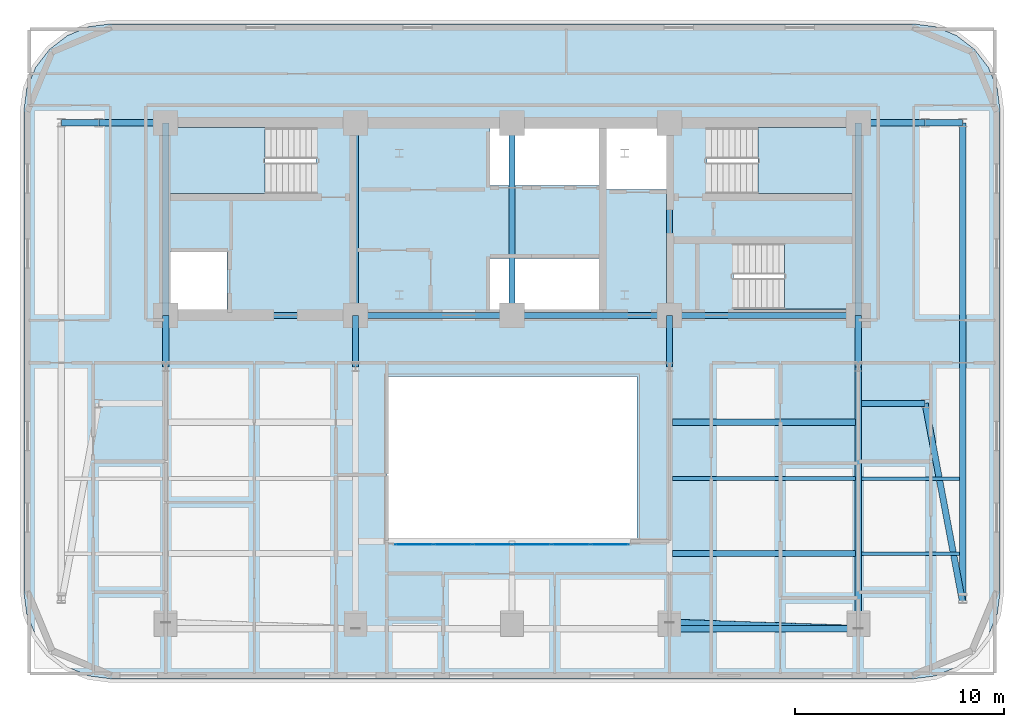
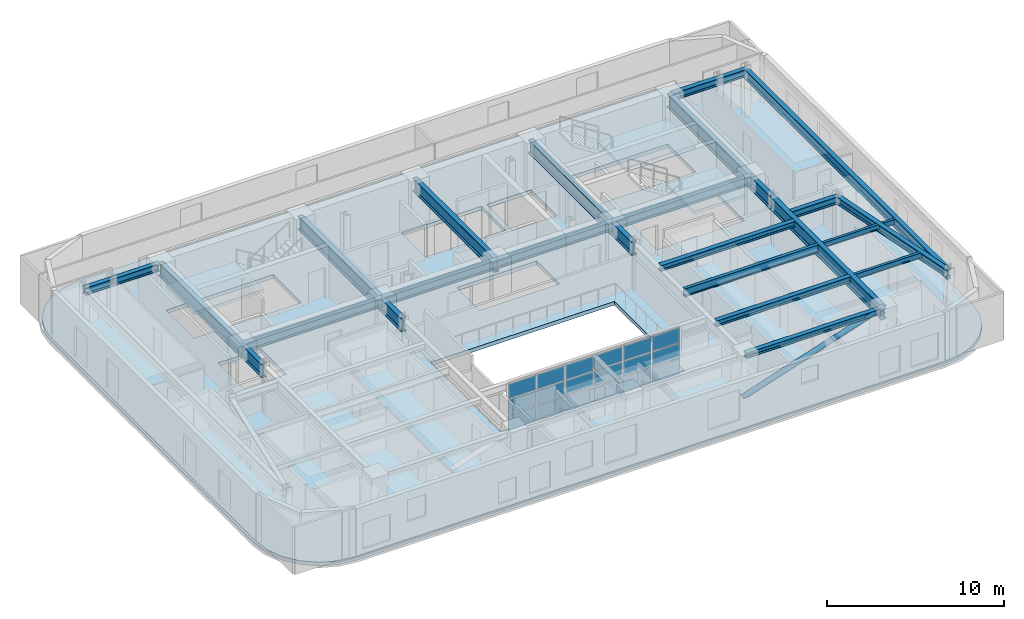
# One storey, part 3 of 12: 27 beams, 18 plates, 4 slabs, 1 member, 4 elements without a shape of their own.
"""IFC4 building model written with IfcOpenShell, lengths in metres."""

from ifc_helpers import new_model, si_unit, direction, frame, origin, origin_2d, place, context, subcontext, project, spatial, polyline, rectangle, hollow_circle, i_section, outline, extrude, material, layer, layer_set, material_profile, profile_set, type_object, element, aggregate, save


model = new_model("IFC4")

# Units and contexts
model_context = context("Model", 3, precision=1e-05, world=origin(), true_north=direction((0.0, 1.0)))
body_context = subcontext(model_context, "Body", "Model", "MODEL_VIEW")
ifc_project = project(units=[si_unit("LENGTHUNIT", "METRE"), si_unit("AREAUNIT", "SQUARE_METRE"), si_unit("VOLUMEUNIT", "CUBIC_METRE"), si_unit("PLANEANGLEUNIT", "RADIAN"), si_unit("MASSUNIT", "GRAM", prefix="KILO")], contexts=[model_context])

# Site, building, storey
site_placement = place(None, origin())
site = spatial("IfcSite", under=ifc_project, at=site_placement, CompositionType="ELEMENT")
building_placement = place(site_placement, origin())
building = spatial("IfcBuilding", under=site, at=building_placement, Name="Zarnavel Station Tower", CompositionType="ELEMENT")
storey_placement = place(building_placement, frame((0.0, 0.0, 144.800048828125)))
storey = spatial("IfcBuildingStorey", under=building, at=storey_placement, Name="L39", CompositionType="ELEMENT", Elevation=144.800048828125)

# Member
ifc_material_1 = material(Name="Steel S355J2", Category="steel")
ifc_material_profile_1 = material_profile(ifc_material_1, hollow_circle(Radius=0.161865234375, WallThickness=0.012451171875, at=origin_2d()), Name="CHS323.9x12.5")
ifc_profile_set_1 = profile_set([ifc_material_profile_1], Name="Steel S355J2")
member_type = type_object("IfcMemberType", Name="DB_EXT_CHS324", PredefinedType="BRACE", material=ifc_profile_set_1)
member_placement = place(storey_placement, frame((36.35009765625, 13.106201171875, 0.0), z_axis=(0.939370056938, -0.030942344867, 0.341506174795), x_axis=(0.032921607344, 0.999457936969, 0.0)))
element("IfcMember", 1, at=member_placement, inside=storey, type_object=member_type, Name="L39 Persian Exterior Diagonal Frame Brace 2", PredefinedType="BRACE", context=body_context, shape_type="SweptSolid", body=[
    extrude(hollow_circle(Radius=0.161865234375, WallThickness=0.012451171875, at=origin_2d()), origin(), (0.0, 0.0, 1.0), 9.6337890625),
])

# Beams
ifc_material_2 = material(Name="Steel S355J2", Category="steel")
ifc_material_profile_2 = material_profile(ifc_material_2, i_section(OverallWidth=0.300048828125, OverallDepth=0.360107421875, WebThickness=0.012451171875, FlangeThickness=0.0224609375, FilletRadius=0.027099609375, at=origin_2d()), Name="HEB360")
ifc_profile_set_2 = profile_set([ifc_material_profile_2], Name="Steel S355J2")
beam_type_1 = type_object("IfcBeamType", Name="EB_HEB360", PredefinedType="SPANDREL", material=ifc_profile_set_2)
beam_1_placement = place(storey_placement, frame((36.35009765625, 12.80810546875, 3.10986328125), z_axis=(1.0, 0.0, 0.0), x_axis=(0.0, 1.0, 0.0)))
element("IfcBeam", 2, at=beam_1_placement, inside=storey, type_object=beam_type_1, Name="L39 South Raked Spandrel 4", PredefinedType="SPANDREL", context=body_context, shape_type="SweptSolid", body=[
    extrude(i_section(OverallWidth=0.300048828125, OverallDepth=0.360107421875, WebThickness=0.012451171875, FlangeThickness=0.0224609375, FilletRadius=0.027099609375, at=origin_2d()), origin(), (0.0, 0.0, 1.0), 9.0498046875),
])
ifc_material_3 = material(Name="Steel S355J2", Category="steel")
ifc_material_profile_3 = material_profile(ifc_material_3, i_section(OverallWidth=0.300048828125, OverallDepth=0.389892578125, WebThickness=0.010986328125, FlangeThickness=0.01904296875, FilletRadius=0.027099609375, at=origin_2d()), Name="HEA400")
ifc_profile_set_3 = profile_set([ifc_material_profile_3], Name="Steel S355J2")
beam_type_2 = type_object("IfcBeamType", Name="FB_HEA400", PredefinedType="BEAM", material=ifc_profile_set_3)
for number, where, z_axis, x_axis, name in (
    (3, (36.4951171875, 16.406005859375, 3.094970703125), (1.0, 0.0, 0.0), (0.0, 1.0, 0.0), "L39 East Bay Beam 1"),
    (4, (36.4951171875, 22.701904296875, 3.094970703125), (1.0, 0.0, 0.0), (0.0, 1.0, 0.0), "L39 East Bay Beam 3"),
):
    element("IfcBeam", number, at=place(storey_placement, frame(where, z_axis=z_axis, x_axis=x_axis)), inside=storey, type_object=beam_type_2, Name=name, PredefinedType="BEAM", context=body_context, shape_type="SweptSolid", body=[
        extrude(i_section(OverallWidth=0.300048828125, OverallDepth=0.389892578125, WebThickness=0.010986328125, FlangeThickness=0.01904296875, FilletRadius=0.027099609375, at=origin_2d()), origin(), (0.0, 0.0, 1.0), 8.759765625),
    ])
ifc_material_4 = material(Name="Steel S355J2", Category="steel")
ifc_material_profile_4 = material_profile(ifc_material_4, i_section(OverallWidth=0.2099609375, OverallDepth=0.550048828125, WebThickness=0.010986328125, FlangeThickness=0.01708984375, FilletRadius=0.02392578125, at=origin_2d()), Name="IPE550")
ifc_profile_set_4 = profile_set([ifc_material_profile_4], Name="Steel S355J2")
beam_type_3 = type_object("IfcBeamType", Name="FB_IPE550", PredefinedType="BEAM", material=ifc_profile_set_4)
beam_2_placement = place(storey_placement, frame((36.4951171875, 20.00390625, 3.014892578125), z_axis=(1.0, 0.0, 0.0), x_axis=(0.0, 1.0, 0.0)))
element("IfcBeam", 5, at=beam_2_placement, inside=storey, type_object=beam_type_3, Name="L39 East Bay Beam 2", PredefinedType="BEAM", context=body_context, shape_type="SweptSolid", body=[
    extrude(i_section(OverallWidth=0.2099609375, OverallDepth=0.550048828125, WebThickness=0.010986328125, FlangeThickness=0.01708984375, FilletRadius=0.02392578125, at=origin_2d()), origin(), (0.0, 0.0, 1.0), 8.759765625),
])
ifc_material_5 = material(Name="Steel S355J2", Category="steel")
ifc_material_profile_5 = material_profile(ifc_material_5, i_section(OverallWidth=0.300048828125, OverallDepth=0.5, WebThickness=0.014404296875, FlangeThickness=0.028076171875, FilletRadius=0.027099609375, at=origin_2d()), Name="HEB500")
ifc_profile_set_5 = profile_set([ifc_material_profile_5], Name="Steel S355J2")
beam_type_4 = type_object("IfcBeamType", Name="FG_HEB500", PredefinedType="USERDEFINED", material=ifc_profile_set_5)
beam_3_placement = place(storey_placement, frame((7.199951171875, 37.050048828125, 3.0400390625), z_axis=(1.0, 0.0, 0.0), x_axis=(0.0, 1.0, 0.0)))
element("IfcBeam", 6, at=beam_3_placement, inside=storey, type_object=beam_type_4, Name="L39 West Wing North Tie 1", ObjectType="GIRDER", PredefinedType="USERDEFINED", context=body_context, shape_type="SweptSolid", body=[
    extrude(i_section(OverallWidth=0.300048828125, OverallDepth=0.5, WebThickness=0.014404296875, FlangeThickness=0.028076171875, FilletRadius=0.027099609375, at=origin_2d()), origin(), (0.0, 0.0, 1.0), 1.800048828125),
])
beam_4_placement = place(storey_placement, frame((9.0, 37.050048828125, 3.0400390625), z_axis=(1.0, 0.0, 0.0), x_axis=(0.0, 1.0, 0.0)))
element("IfcBeam", 7, at=beam_4_placement, inside=storey, type_object=beam_type_4, Name="L39 West Wing North Tie 2", ObjectType="GIRDER", PredefinedType="USERDEFINED", context=body_context, shape_type="SweptSolid", body=[
    extrude(i_section(OverallWidth=0.300048828125, OverallDepth=0.5, WebThickness=0.014404296875, FlangeThickness=0.028076171875, FilletRadius=0.027099609375, at=origin_2d()), origin(), (0.0, 0.0, 1.0), 3.054931640625),
])
for number, where, z_axis, x_axis, name in (
    (8, (45.544921875, 23.60009765625, 3.0400390625), (1.0, 0.0, 0.0), (0.0, 1.0, 0.0), "L39 East Wing South Tie 1"),
    (9, (45.544921875, 37.050048828125, 3.0400390625), (1.0, 0.0, 0.0), (0.0, 1.0, 0.0), "L39 East Wing North Tie 1"),
):
    element("IfcBeam", number, at=place(storey_placement, frame(where, z_axis=z_axis, x_axis=x_axis)), inside=storey, type_object=beam_type_4, Name=name, ObjectType="GIRDER", PredefinedType="USERDEFINED", context=body_context, shape_type="SweptSolid", body=[
        extrude(i_section(OverallWidth=0.300048828125, OverallDepth=0.5, WebThickness=0.014404296875, FlangeThickness=0.028076171875, FilletRadius=0.027099609375, at=origin_2d()), origin(), (0.0, 0.0, 1.0), 3.05517578125),
    ])
beam_5_placement = place(storey_placement, frame((48.60009765625, 23.60009765625, 3.0400390625), z_axis=(0.185291542789, -0.982683593112, 0.0), x_axis=(0.982683593112, 0.185291542789, 0.0)))
element("IfcBeam", 10, at=beam_5_placement, inside=storey, type_object=beam_type_4, Name="L39 East Wing South Tie 2", ObjectType="GIRDER", PredefinedType="USERDEFINED", context=body_context, shape_type="SweptSolid", body=[
    extrude(i_section(OverallWidth=0.300048828125, OverallDepth=0.5, WebThickness=0.014404296875, FlangeThickness=0.028076171875, FilletRadius=0.027099609375, at=origin_2d()), origin(), (0.0, 0.0, 1.0), 9.71337890625),
])
beam_6_placement = place(storey_placement, frame((48.60009765625, 37.050048828125, 3.0400390625), z_axis=(1.0, 0.0, 0.0), x_axis=(0.0, 1.0, 0.0)))
element("IfcBeam", 11, at=beam_6_placement, inside=storey, type_object=beam_type_4, Name="L39 East Wing North Tie 2", ObjectType="GIRDER", PredefinedType="USERDEFINED", context=body_context, shape_type="SweptSolid", body=[
    extrude(i_section(OverallWidth=0.300048828125, OverallDepth=0.5, WebThickness=0.014404296875, FlangeThickness=0.028076171875, FilletRadius=0.027099609375, at=origin_2d()), origin(), (0.0, 0.0, 1.0), 1.7998046875),
])
ifc_material_6 = material(Name="Steel S355J2", Category="steel")
ifc_material_profile_6 = material_profile(ifc_material_6, i_section(OverallWidth=0.300048828125, OverallDepth=0.60009765625, WebThickness=0.015380859375, FlangeThickness=0.030029296875, FilletRadius=0.027099609375, at=origin_2d()), Name="HEB600")
ifc_profile_set_6 = profile_set([ifc_material_profile_6], Name="Steel S355J2")
beam_type_5 = type_object("IfcBeamType", Name="FG_HEB600", PredefinedType="USERDEFINED", material=ifc_profile_set_6)
beam_7_placement = place(storey_placement, frame((12.199951171875, 27.820068359375, 2.989990234375), z_axis=(1.0, 0.0, 0.0), x_axis=(0.0, 1.0, 0.0)))
element("IfcBeam", 12, at=beam_7_placement, inside=storey, type_object=beam_type_5, Name="L39 Core Front Coupling Beam 1", ObjectType="GIRDER", PredefinedType="USERDEFINED", context=body_context, shape_type="SweptSolid", body=[
    extrude(i_section(OverallWidth=0.300048828125, OverallDepth=0.60009765625, WebThickness=0.015380859375, FlangeThickness=0.030029296875, FilletRadius=0.027099609375, at=origin_2d()), origin(), (0.0, 0.0, 1.0), 9.10009765625),
])
beam_8_placement = place(storey_placement, frame((21.300048828125, 27.820068359375, 2.989990234375), z_axis=(1.0, 0.0, 0.0), x_axis=(0.0, 1.0, 0.0)))
element("IfcBeam", 13, at=beam_8_placement, inside=storey, type_object=beam_type_5, Name="L39 Core Front Coupling Beam 2", ObjectType="GIRDER", PredefinedType="USERDEFINED", context=body_context, shape_type="SweptSolid", body=[
    extrude(i_section(OverallWidth=0.300048828125, OverallDepth=0.60009765625, WebThickness=0.015380859375, FlangeThickness=0.030029296875, FilletRadius=0.027099609375, at=origin_2d()), origin(), (0.0, 0.0, 1.0), 7.5),
])
beam_9_placement = place(storey_placement, frame((28.800048828125, 27.820068359375, 2.989990234375), z_axis=(1.0, 0.0, 0.0), x_axis=(0.0, 1.0, 0.0)))
element("IfcBeam", 14, at=beam_9_placement, inside=storey, type_object=beam_type_5, Name="L39 Core Front Coupling Beam 3", ObjectType="GIRDER", PredefinedType="USERDEFINED", context=body_context, shape_type="SweptSolid", body=[
    extrude(i_section(OverallWidth=0.300048828125, OverallDepth=0.60009765625, WebThickness=0.015380859375, FlangeThickness=0.030029296875, FilletRadius=0.027099609375, at=origin_2d()), origin(), (0.0, 0.0, 1.0), 7.550048828125),
])
beam_10_placement = place(storey_placement, frame((36.35009765625, 27.820068359375, 2.989990234375), z_axis=(1.0, 0.0, 0.0), x_axis=(0.0, 1.0, 0.0)))
element("IfcBeam", 15, at=beam_10_placement, inside=storey, type_object=beam_type_5, Name="L39 Core Front Coupling Beam 4", ObjectType="GIRDER", PredefinedType="USERDEFINED", context=body_context, shape_type="SweptSolid", body=[
    extrude(i_section(OverallWidth=0.300048828125, OverallDepth=0.60009765625, WebThickness=0.015380859375, FlangeThickness=0.030029296875, FilletRadius=0.027099609375, at=origin_2d()), origin(), (0.0, 0.0, 1.0), 9.0498046875),
])
ifc_material_7 = material(Name="Steel S355J2", Category="steel")
ifc_material_profile_7 = material_profile(ifc_material_7, i_section(OverallWidth=0.300048828125, OverallDepth=0.64990234375, WebThickness=0.01611328125, FlangeThickness=0.031005859375, FilletRadius=0.027099609375, at=origin_2d()), Name="HEB650")
ifc_profile_set_7 = profile_set([ifc_material_profile_7], Name="Steel S355J2")
beam_type_6 = type_object("IfcBeamType", Name="FG_HEB650", PredefinedType="USERDEFINED", material=ifc_profile_set_7)
beam_11_placement = place(storey_placement, frame((50.39990234375, 14.054931640625, 2.96484375), z_axis=(0.0, 1.0, 0.0), x_axis=(-1.0, 0.0, 0.0)))
element("IfcBeam", 16, at=beam_11_placement, inside=storey, type_object=beam_type_6, Name="L39 Wing NS Girder 2", ObjectType="GIRDER", PredefinedType="USERDEFINED", context=body_context, shape_type="SweptSolid", body=[
    extrude(i_section(OverallWidth=0.300048828125, OverallDepth=0.64990234375, WebThickness=0.01611328125, FlangeThickness=0.031005859375, FilletRadius=0.027099609375, at=origin_2d()), origin(), (0.0, 0.0, 1.0), 22.9951171875),
])
ifc_material_8 = material(Name="Steel S355J2", Category="steel")
ifc_material_profile_8 = material_profile(ifc_material_8, i_section(OverallWidth=0.169921875, OverallDepth=0.360107421875, WebThickness=0.008056640625, FlangeThickness=0.0126953125, FilletRadius=0.01806640625, at=origin_2d()), Name="IPE360")
ifc_profile_set_8 = profile_set([ifc_material_profile_8], Name="Steel S355J2")
beam_type_7 = type_object("IfcBeamType", Name="FJ_IPE360", PredefinedType="JOIST", material=ifc_profile_set_8)
for number, where, z_axis, x_axis, name in (
    (17, (45.544921875, 16.406005859375, 3.10986328125), (1.0, 0.0, 0.0), (0.0, 1.0, 0.0), "L39 East Wing Joist 1"),
    (18, (45.544921875, 20.00390625, 3.10986328125), (1.0, 0.0, 0.0), (0.0, 1.0, 0.0), "L39 East Wing Joist 2"),
):
    element("IfcBeam", number, at=place(storey_placement, frame(where, z_axis=z_axis, x_axis=x_axis)), inside=storey, type_object=beam_type_7, Name=name, PredefinedType="JOIST", context=body_context, shape_type="SweptSolid", body=[
        extrude(i_section(OverallWidth=0.169921875, OverallDepth=0.360107421875, WebThickness=0.008056640625, FlangeThickness=0.0126953125, FilletRadius=0.01806640625, at=origin_2d()), origin(), (0.0, 0.0, 1.0), 4.7099609375),
    ])
ifc_material_9 = material(Name="Steel S460M", Category="steel")
ifc_material_profile_9 = material_profile(ifc_material_9, i_section(OverallWidth=0.302001953125, OverallDepth=0.909912109375, WebThickness=0.02099609375, FlangeThickness=0.0400390625, FilletRadius=0.030029296875, at=origin_2d()), Name="HEM900")
ifc_profile_set_9 = profile_set([ifc_material_profile_9], Name="Steel S460M")
beam_type_8 = type_object("IfcBeamType", Name="TG_HEM900", PredefinedType="USERDEFINED", material=ifc_profile_set_9)
for number, where, z_axis, x_axis, name in (
    (19, (12.199951171875, 27.820068359375, 2.8349609375), (0.0, 1.0, 0.0), (-1.0, 0.0, 0.0), "L39 Core Spine Coupling Girder 1"),
    (20, (21.300048828125, 27.820068359375, 2.8349609375), (0.0, 1.0, 0.0), (-1.0, 0.0, 0.0), "L39 Core Spine Coupling Girder 2"),
    (21, (28.800048828125, 27.820068359375, 2.8349609375), (0.0, 1.0, 0.0), (-1.0, 0.0, 0.0), "L39 Core Spine Coupling Girder 3"),
    (22, (36.35009765625, 27.820068359375, 2.8349609375), (0.0, 1.0, 0.0), (-1.0, 0.0, 0.0), "L39 Core Spine Coupling Girder 4"),
    (23, (45.39990234375, 27.820068359375, 2.8349609375), (0.0, 1.0, 0.0), (-1.0, 0.0, 0.0), "L39 Core Spine Coupling Girder 5"),
):
    element("IfcBeam", number, at=place(storey_placement, frame(where, z_axis=z_axis, x_axis=x_axis)), inside=storey, type_object=beam_type_8, Name=name, ObjectType="GIRDER", PredefinedType="USERDEFINED", context=body_context, shape_type="SweptSolid", body=[
        extrude(i_section(OverallWidth=0.302001953125, OverallDepth=0.909912109375, WebThickness=0.02099609375, FlangeThickness=0.0400390625, FilletRadius=0.030029296875, at=origin_2d()), origin(), (0.0, 0.0, 1.0), 9.22998046875),
    ])
for number, where, z_axis, x_axis, name in (
    (24, (12.199951171875, 25.35009765625, 2.8349609375), (0.0, 1.0, 0.0), (-1.0, 0.0, 0.0), "L39 Inner-Zone NS Girder 1"),
    (25, (21.300048828125, 25.35009765625, 2.8349609375), (0.0, 1.0, 0.0), (-1.0, 0.0, 0.0), "L39 Inner-Zone NS Girder 2"),
    (26, (36.35009765625, 25.35009765625, 2.8349609375), (0.0, 1.0, 0.0), (-1.0, 0.0, 0.0), "L39 Inner-Zone NS Girder 4"),
):
    element("IfcBeam", number, at=place(storey_placement, frame(where, z_axis=z_axis, x_axis=x_axis)), inside=storey, type_object=beam_type_8, Name=name, ObjectType="GIRDER", PredefinedType="USERDEFINED", context=body_context, shape_type="SweptSolid", body=[
        extrude(i_section(OverallWidth=0.302001953125, OverallDepth=0.909912109375, WebThickness=0.02099609375, FlangeThickness=0.0400390625, FilletRadius=0.030029296875, at=origin_2d()), origin(), (0.0, 0.0, 1.0), 2.469970703125),
    ])
beam_12_placement = place(storey_placement, frame((45.39990234375, 12.80810546875, 2.8349609375), z_axis=(0.0, 1.0, 0.0), x_axis=(-1.0, 0.0, 0.0)))
element("IfcBeam", 27, at=beam_12_placement, inside=storey, type_object=beam_type_8, Name="L39 South-Zone NS Girder 5", ObjectType="GIRDER", PredefinedType="USERDEFINED", context=body_context, shape_type="SweptSolid", body=[
    extrude(i_section(OverallWidth=0.302001953125, OverallDepth=0.909912109375, WebThickness=0.02099609375, FlangeThickness=0.0400390625, FilletRadius=0.030029296875, at=origin_2d()), origin(), (0.0, 0.0, 1.0), 12.5419921875),
])
beam_13_placement = place(storey_placement, frame((45.39990234375, 25.35009765625, 2.8349609375), z_axis=(0.0, 1.0, 0.0), x_axis=(-1.0, 0.0, 0.0)))
element("IfcBeam", 28, at=beam_13_placement, inside=storey, type_object=beam_type_8, Name="L39 Inner-Zone NS Girder 5", ObjectType="GIRDER", PredefinedType="USERDEFINED", context=body_context, shape_type="SweptSolid", body=[
    extrude(i_section(OverallWidth=0.302001953125, OverallDepth=0.909912109375, WebThickness=0.02099609375, FlangeThickness=0.0400390625, FilletRadius=0.030029296875, at=origin_2d()), origin(), (0.0, 0.0, 1.0), 2.469970703125),
])

# Curtain wall, plates
ifc_material_10 = material(Name="Aluminium Dark Anodised and Solar-Control Glass", Category="aluminium")
ifc_layer_1 = layer(ifc_material_10, 0.179931640625)
ifc_layer_set_1 = layer_set([ifc_layer_1], Name="CWS4")
curtain_wall_type = type_object("IfcCurtainWallType", Name="CWS4", PredefinedType="NOTDEFINED", material=ifc_layer_set_1)
curtain_wall_placement = place(storey_placement, origin())
curtain_wall = element("IfcCurtainWall", 29, at=curtain_wall_placement, inside=storey, type_object=curtain_wall_type, Name="L39 Curtain Wall CWS4-L39-AS", PredefinedType="NOTDEFINED")
ifc_material_11 = material(Name="Double Low-E Dark Solar-Control Glass", Category="glass")
ifc_layer_2 = layer(ifc_material_11, 0.031982421875)
ifc_layer_set_2 = layer_set([ifc_layer_2], Name="CWS4_PNL")
plate_type = type_object("IfcPlateType", Name="CWS4_PNL", PredefinedType="CURTAIN_PANEL", material=ifc_layer_set_2)
plate_1_placement = place(storey_placement, frame((24.106689453125, 16.85009765625, 0.06005859375), z_axis=(0.0, 0.0, 1.0), x_axis=(1.0, 0.0, 0.0)))
plate_1 = element("IfcPlate", 30, at=plate_1_placement, type_object=plate_type, Name="CW4 panel 1.1", PredefinedType="CURTAIN_PANEL", context=body_context, shape_type="SweptSolid", body=[
    extrude(rectangle(XDim=1.793212890625, YDim=0.028076171875, at=origin_2d()), origin(), (0.0, 0.0, 1.0), 1.006591796875),
])
plate_2_placement = place(storey_placement, frame((24.106689453125, 16.85009765625, 1.126708984375), z_axis=(0.0, 0.0, 1.0), x_axis=(1.0, 0.0, 0.0)))
plate_2 = element("IfcPlate", 31, at=plate_2_placement, type_object=plate_type, Name="CW4 panel 1.2", PredefinedType="CURTAIN_PANEL", context=body_context, shape_type="SweptSolid", body=[
    extrude(rectangle(XDim=1.793212890625, YDim=0.028076171875, at=origin_2d()), origin(), (0.0, 0.0, 1.0), 1.03662109375),
])
plate_3_placement = place(storey_placement, frame((24.106689453125, 16.85009765625, 2.22314453125), z_axis=(0.0, 0.0, 1.0), x_axis=(1.0, 0.0, 0.0)))
plate_3 = element("IfcPlate", 32, at=plate_3_placement, type_object=plate_type, Name="CW4 panel 1.3", PredefinedType="CURTAIN_PANEL", context=body_context, shape_type="SweptSolid", body=[
    extrude(rectangle(XDim=1.793212890625, YDim=0.028076171875, at=origin_2d()), origin(), (0.0, 0.0, 1.0), 1.006591796875),
])
plate_4_placement = place(storey_placement, frame((25.97509765625, 16.85009765625, 0.06005859375), z_axis=(0.0, 0.0, 1.0), x_axis=(1.0, 0.0, 0.0)))
plate_4 = element("IfcPlate", 33, at=plate_4_placement, type_object=plate_type, Name="CW4 panel 2.1", PredefinedType="CURTAIN_PANEL", context=body_context, shape_type="SweptSolid", body=[
    extrude(rectangle(XDim=1.8232421875, YDim=0.028076171875, at=origin_2d()), origin(), (0.0, 0.0, 1.0), 1.006591796875),
])
plate_5_placement = place(storey_placement, frame((25.97509765625, 16.85009765625, 1.126708984375), z_axis=(0.0, 0.0, 1.0), x_axis=(1.0, 0.0, 0.0)))
plate_5 = element("IfcPlate", 34, at=plate_5_placement, type_object=plate_type, Name="CW4 panel 2.2", PredefinedType="CURTAIN_PANEL", context=body_context, shape_type="SweptSolid", body=[
    extrude(rectangle(XDim=1.8232421875, YDim=0.028076171875, at=origin_2d()), origin(), (0.0, 0.0, 1.0), 1.03662109375),
])
plate_6_placement = place(storey_placement, frame((25.97509765625, 16.85009765625, 2.22314453125), z_axis=(0.0, 0.0, 1.0), x_axis=(1.0, 0.0, 0.0)))
plate_6 = element("IfcPlate", 35, at=plate_6_placement, type_object=plate_type, Name="CW4 panel 2.3", PredefinedType="CURTAIN_PANEL", context=body_context, shape_type="SweptSolid", body=[
    extrude(rectangle(XDim=1.8232421875, YDim=0.028076171875, at=origin_2d()), origin(), (0.0, 0.0, 1.0), 1.006591796875),
])
plate_7_placement = place(storey_placement, frame((27.8583984375, 16.85009765625, 0.06005859375), z_axis=(0.0, 0.0, 1.0), x_axis=(1.0, 0.0, 0.0)))
plate_7 = element("IfcPlate", 36, at=plate_7_placement, type_object=plate_type, Name="CW4 panel 3.1", PredefinedType="CURTAIN_PANEL", context=body_context, shape_type="SweptSolid", body=[
    extrude(rectangle(XDim=1.8232421875, YDim=0.028076171875, at=origin_2d()), origin(), (0.0, 0.0, 1.0), 1.006591796875),
])
plate_8_placement = place(storey_placement, frame((27.8583984375, 16.85009765625, 1.126708984375), z_axis=(0.0, 0.0, 1.0), x_axis=(1.0, 0.0, 0.0)))
plate_8 = element("IfcPlate", 37, at=plate_8_placement, type_object=plate_type, Name="CW4 panel 3.2", PredefinedType="CURTAIN_PANEL", context=body_context, shape_type="SweptSolid", body=[
    extrude(rectangle(XDim=1.8232421875, YDim=0.028076171875, at=origin_2d()), origin(), (0.0, 0.0, 1.0), 1.03662109375),
])
plate_9_placement = place(storey_placement, frame((27.8583984375, 16.85009765625, 2.22314453125), z_axis=(0.0, 0.0, 1.0), x_axis=(1.0, 0.0, 0.0)))
plate_9 = element("IfcPlate", 38, at=plate_9_placement, type_object=plate_type, Name="CW4 panel 3.3", PredefinedType="CURTAIN_PANEL", context=body_context, shape_type="SweptSolid", body=[
    extrude(rectangle(XDim=1.8232421875, YDim=0.028076171875, at=origin_2d()), origin(), (0.0, 0.0, 1.0), 1.006591796875),
])
plate_10_placement = place(storey_placement, frame((29.74169921875, 16.85009765625, 0.06005859375), z_axis=(0.0, 0.0, 1.0), x_axis=(1.0, 0.0, 0.0)))
plate_10 = element("IfcPlate", 39, at=plate_10_placement, type_object=plate_type, Name="CW4 panel 4.1", PredefinedType="CURTAIN_PANEL", context=body_context, shape_type="SweptSolid", body=[
    extrude(rectangle(XDim=1.8232421875, YDim=0.028076171875, at=origin_2d()), origin(), (0.0, 0.0, 1.0), 1.006591796875),
])
plate_11_placement = place(storey_placement, frame((29.74169921875, 16.85009765625, 1.126708984375), z_axis=(0.0, 0.0, 1.0), x_axis=(1.0, 0.0, 0.0)))
plate_11 = element("IfcPlate", 40, at=plate_11_placement, type_object=plate_type, Name="CW4 panel 4.2", PredefinedType="CURTAIN_PANEL", context=body_context, shape_type="SweptSolid", body=[
    extrude(rectangle(XDim=1.8232421875, YDim=0.028076171875, at=origin_2d()), origin(), (0.0, 0.0, 1.0), 1.03662109375),
])
plate_12_placement = place(storey_placement, frame((29.74169921875, 16.85009765625, 2.22314453125), z_axis=(0.0, 0.0, 1.0), x_axis=(1.0, 0.0, 0.0)))
plate_12 = element("IfcPlate", 41, at=plate_12_placement, type_object=plate_type, Name="CW4 panel 4.3", PredefinedType="CURTAIN_PANEL", context=body_context, shape_type="SweptSolid", body=[
    extrude(rectangle(XDim=1.8232421875, YDim=0.028076171875, at=origin_2d()), origin(), (0.0, 0.0, 1.0), 1.006591796875),
])
plate_13_placement = place(storey_placement, frame((31.625, 16.85009765625, 0.06005859375), z_axis=(0.0, 0.0, 1.0), x_axis=(1.0, 0.0, 0.0)))
plate_13 = element("IfcPlate", 42, at=plate_13_placement, type_object=plate_type, Name="CW4 panel 5.1", PredefinedType="CURTAIN_PANEL", context=body_context, shape_type="SweptSolid", body=[
    extrude(rectangle(XDim=1.8232421875, YDim=0.028076171875, at=origin_2d()), origin(), (0.0, 0.0, 1.0), 1.006591796875),
])
plate_14_placement = place(storey_placement, frame((31.625, 16.85009765625, 1.126708984375), z_axis=(0.0, 0.0, 1.0), x_axis=(1.0, 0.0, 0.0)))
plate_14 = element("IfcPlate", 43, at=plate_14_placement, type_object=plate_type, Name="CW4 panel 5.2", PredefinedType="CURTAIN_PANEL", context=body_context, shape_type="SweptSolid", body=[
    extrude(rectangle(XDim=1.8232421875, YDim=0.028076171875, at=origin_2d()), origin(), (0.0, 0.0, 1.0), 1.03662109375),
])
plate_15_placement = place(storey_placement, frame((31.625, 16.85009765625, 2.22314453125), z_axis=(0.0, 0.0, 1.0), x_axis=(1.0, 0.0, 0.0)))
plate_15 = element("IfcPlate", 44, at=plate_15_placement, type_object=plate_type, Name="CW4 panel 5.3", PredefinedType="CURTAIN_PANEL", context=body_context, shape_type="SweptSolid", body=[
    extrude(rectangle(XDim=1.8232421875, YDim=0.028076171875, at=origin_2d()), origin(), (0.0, 0.0, 1.0), 1.006591796875),
])
plate_16_placement = place(storey_placement, frame((33.493408203125, 16.85009765625, 0.06005859375), z_axis=(0.0, 0.0, 1.0), x_axis=(1.0, 0.0, 0.0)))
plate_16 = element("IfcPlate", 45, at=plate_16_placement, type_object=plate_type, Name="CW4 panel 6.1", PredefinedType="CURTAIN_PANEL", context=body_context, shape_type="SweptSolid", body=[
    extrude(rectangle(XDim=1.793212890625, YDim=0.028076171875, at=origin_2d()), origin(), (0.0, 0.0, 1.0), 1.006591796875),
])
plate_17_placement = place(storey_placement, frame((33.493408203125, 16.85009765625, 1.126708984375), z_axis=(0.0, 0.0, 1.0), x_axis=(1.0, 0.0, 0.0)))
plate_17 = element("IfcPlate", 46, at=plate_17_placement, type_object=plate_type, Name="CW4 panel 6.2", PredefinedType="CURTAIN_PANEL", context=body_context, shape_type="SweptSolid", body=[
    extrude(rectangle(XDim=1.793212890625, YDim=0.028076171875, at=origin_2d()), origin(), (0.0, 0.0, 1.0), 1.03662109375),
])
plate_18_placement = place(storey_placement, frame((33.493408203125, 16.85009765625, 2.22314453125), z_axis=(0.0, 0.0, 1.0), x_axis=(1.0, 0.0, 0.0)))
plate_18 = element("IfcPlate", 47, at=plate_18_placement, type_object=plate_type, Name="CW4 panel 6.3", PredefinedType="CURTAIN_PANEL", context=body_context, shape_type="SweptSolid", body=[
    extrude(rectangle(XDim=1.793212890625, YDim=0.028076171875, at=origin_2d()), origin(), (0.0, 0.0, 1.0), 1.006591796875),
])
aggregate(curtain_wall, [plate_1, plate_2, plate_3, plate_4, plate_5, plate_6, plate_7, plate_8, plate_9, plate_10, plate_11, plate_12, plate_13, plate_14, plate_15, plate_16, plate_17, plate_18])

# Slab
ifc_material_12 = material(Name="Concrete C45/55", Category="concrete")
ifc_layer_3 = layer(ifc_material_12, 0.260009765625)
ifc_layer_set_3 = layer_set([ifc_layer_3], Name="SL_FLR_260")
slab_type_1 = type_object("IfcSlabType", Name="SL_FLR_260", PredefinedType="FLOOR", material=ifc_layer_set_3)
slab_1_placement = place(storey_placement, frame((0.0, 0.0, -0.260009765625)))
element("IfcSlab", 48, at=slab_1_placement, inside=storey, type_object=slab_type_1, Name="L39 Structural Floor Slab", PredefinedType="FLOOR", context=body_context, shape_type="SweptSolid", body=[
    extrude(outline(polyline([(48.0, 10.39990234375), (49.0869140625, 10.543212890625), (50.10009765625, 10.962646484375), (50.9697265625, 11.630126953125), (51.63720703125, 12.5), (52.056884765625, 13.512939453125), (52.199951171875, 14.60009765625), (52.199951171875, 37.60009765625), (52.056884765625, 38.68701171875), (51.63720703125, 39.699951171875), (50.9697265625, 40.56982421875), (50.10009765625, 41.2373046875), (49.0869140625, 41.656982421875), (48.0, 41.800048828125), (9.60009765625, 41.800048828125), (8.512939453125, 41.656982421875), (7.5, 41.2373046875), (6.630126953125, 40.56982421875), (5.962646484375, 39.699951171875), (5.543212890625, 38.68701171875), (5.39990234375, 37.60009765625), (5.39990234375, 14.60009765625), (5.543212890625, 13.512939453125), (5.962646484375, 12.5), (6.630126953125, 11.630126953125), (7.5, 10.962646484375), (8.512939453125, 10.543212890625), (9.60009765625, 10.39990234375), (48.0, 10.39990234375)]), holes=[polyline([(12.39990234375, 33.659912109375), (19.409912109375, 33.659912109375), (19.409912109375, 36.820068359375), (12.39990234375, 36.820068359375), (12.39990234375, 33.659912109375)]), polyline([(38.14990234375, 33.659912109375), (45.159912109375, 33.659912109375), (45.159912109375, 36.820068359375), (38.14990234375, 36.820068359375), (38.14990234375, 33.659912109375)]), polyline([(39.419921875, 28.1201171875), (45.14990234375, 28.1201171875), (45.14990234375, 31.280029296875), (39.419921875, 31.280029296875), (39.419921875, 28.1201171875)]), polyline([(12.35009765625, 27.949951171875), (15.14990234375, 27.949951171875), (15.14990234375, 30.85009765625), (12.35009765625, 30.85009765625), (12.35009765625, 27.949951171875)]), polyline([(33.320068359375, 33.85009765625), (36.2099609375, 33.85009765625), (36.2099609375, 36.780029296875), (33.320068359375, 36.780029296875), (33.320068359375, 33.85009765625)]), polyline([(27.75, 34.050048828125), (32.97998046875, 34.050048828125), (32.97998046875, 36.780029296875), (27.75, 36.780029296875), (27.75, 34.050048828125)]), polyline([(27.75, 27.949951171875), (32.97998046875, 27.949951171875), (32.97998046875, 30.550048828125), (27.75, 30.550048828125), (27.75, 27.949951171875)]), polyline([(22.800048828125, 17.0), (34.800048828125, 17.0), (34.800048828125, 24.89990234375), (22.800048828125, 24.89990234375), (22.800048828125, 17.0)])]), origin(), (0.0, 0.0, 1.0), 0.260009765625),
])

# Stair, slab
ifc_material_13 = material(Name="Concrete C45/55", Category="concrete")
stair_type = type_object("IfcStairType", Name="ST_CORE_150", PredefinedType="HALF_TURN_STAIR", material=ifc_material_13)
stair_1_placement = place(storey_placement, origin())
stair_1 = element("IfcStair", 49, at=stair_1_placement, inside=storey, type_object=stair_type, Name="L39 Core Exit Stair ST1", PredefinedType="HALF_TURN_STAIR")
ifc_material_14 = material(Name="Concrete C45/55", Category="concrete")
ifc_layer_4 = layer(ifc_material_14, 0.199951171875)
ifc_layer_set_4 = layer_set([ifc_layer_4], Name="SL_STAIR_LAND_200")
slab_type_2 = type_object("IfcSlabType", Name="SL_STAIR_LAND_200", PredefinedType="LANDING", material=ifc_layer_set_4)
slab_2_placement = place(storey_placement, frame((0.0, 0.0, 1.574951171875)))
slab_2 = element("IfcSlab", 50, at=slab_2_placement, type_object=slab_type_2, Name="ST1 landing 1", PredefinedType="LANDING", context=body_context, shape_type="SweptSolid", body=[
    extrude(outline(polyline([(16.9599609375, 36.820068359375), (12.39990234375, 36.820068359375), (12.39990234375, 33.659912109375), (16.9599609375, 33.659912109375), (16.9599609375, 36.820068359375)])), origin(), (0.0, 0.0, 1.0), 0.199951171875),
])
aggregate(stair_1, [slab_2])

stair_2_placement = place(storey_placement, origin())
stair_2 = element("IfcStair", 51, at=stair_2_placement, inside=storey, type_object=stair_type, Name="L39 Core Exit Stair ST2", PredefinedType="HALF_TURN_STAIR")
slab_3_placement = place(storey_placement, frame((0.0, 0.0, 1.574951171875)))
slab_3 = element("IfcSlab", 52, at=slab_3_placement, type_object=slab_type_2, Name="ST2 landing 1", PredefinedType="LANDING", context=body_context, shape_type="SweptSolid", body=[
    extrude(outline(polyline([(40.60009765625, 33.659912109375), (45.159912109375, 33.659912109375), (45.159912109375, 36.820068359375), (40.60009765625, 36.820068359375), (40.60009765625, 33.659912109375)])), origin(), (0.0, 0.0, 1.0), 0.199951171875),
])
aggregate(stair_2, [slab_3])

stair_3_placement = place(storey_placement, origin())
stair_3 = element("IfcStair", 53, at=stair_3_placement, inside=storey, type_object=stair_type, Name="L39 Core Exit Stair ST3", PredefinedType="HALF_TURN_STAIR")
slab_4_placement = place(storey_placement, frame((0.0, 0.0, 1.574951171875)))
slab_4 = element("IfcSlab", 54, at=slab_4_placement, type_object=slab_type_2, Name="ST3 landing 1", PredefinedType="LANDING", context=body_context, shape_type="SweptSolid", body=[
    extrude(outline(polyline([(41.8701171875, 28.1201171875), (45.14990234375, 28.1201171875), (45.14990234375, 31.280029296875), (41.8701171875, 31.280029296875), (41.8701171875, 28.1201171875)])), origin(), (0.0, 0.0, 1.0), 0.199951171875),
])
aggregate(stair_3, [slab_4])

save(model, "model.ifc")
